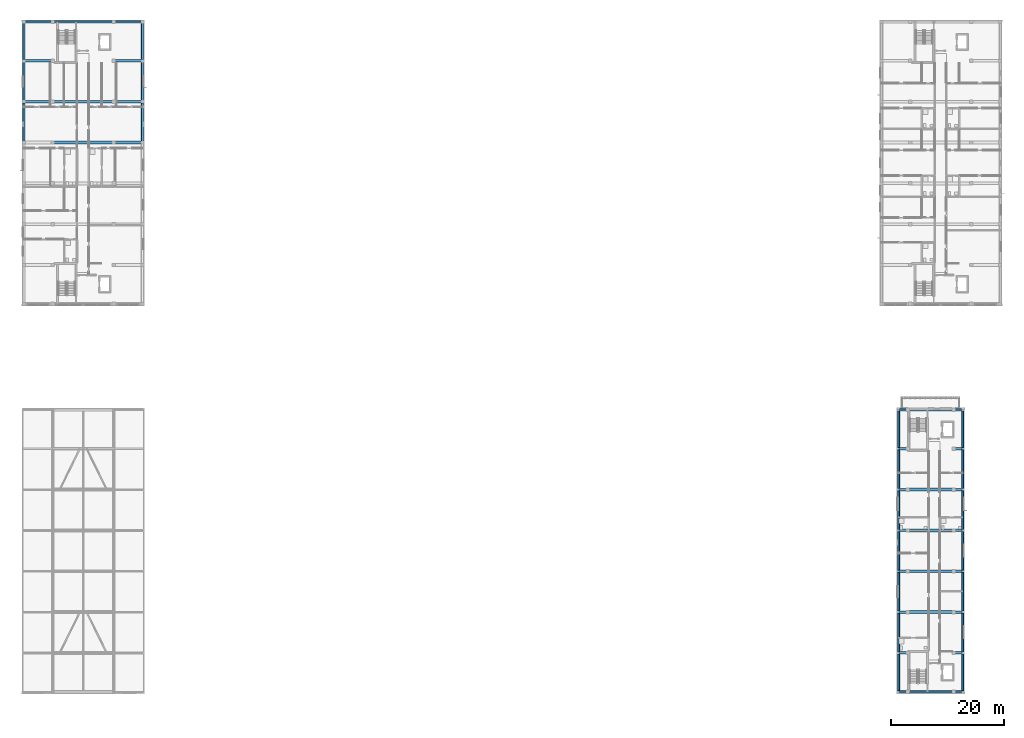
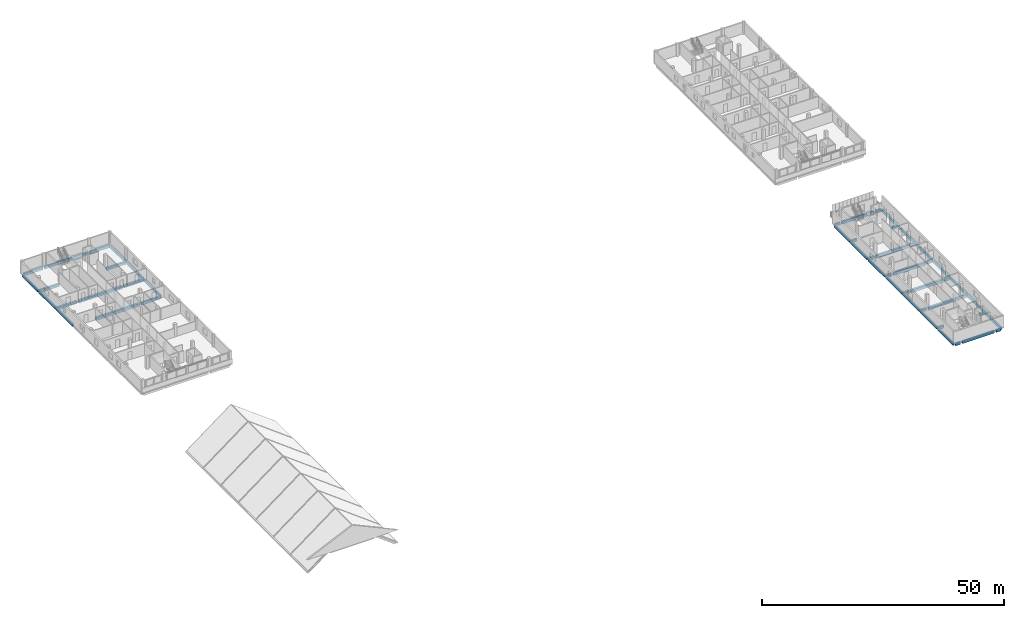
# One storey, part 5 of 35: 52 beams.
"""IFC4 building model written with IfcOpenShell, lengths in metres."""

from ifc_helpers import new_model, si_unit, derived_unit, direction, frame, origin, origin_2d, place, context, subcontext, project, spatial, rectangle, extrude, material, material_profile, profile_set, type_object, element, save


model = new_model("IFC4")

# Units and contexts
model_context = context("Model", 3, precision=1e-05, world=origin(), true_north=direction((0.0, 1.0)))
body_context = subcontext(model_context, "Body", "Model", "MODEL_VIEW")
ifc_project = project(units=[si_unit("LENGTHUNIT", "METRE"), si_unit("AREAUNIT", "SQUARE_METRE"), si_unit("VOLUMEUNIT", "CUBIC_METRE"), si_unit("PLANEANGLEUNIT", "RADIAN"), si_unit("MASSUNIT", "GRAM", prefix="KILO"), derived_unit("THERMALTRANSMITTANCEUNIT", [(si_unit("MASSUNIT", "GRAM", prefix="KILO"), 1), (si_unit("TIMEUNIT", "SECOND"), -3), (si_unit("THERMODYNAMICTEMPERATUREUNIT", "KELVIN"), -1)])], contexts=[model_context])

# Site, building, storey
site_placement = place(None, origin())
site = spatial("IfcSite", under=ifc_project, at=site_placement, CompositionType="ELEMENT")
building_placement = place(site_placement, origin())
building = spatial("IfcBuilding", under=site, at=building_placement, Name="Ochrekiln Boulevard Commons", CompositionType="ELEMENT")
storey_placement = place(building_placement, frame((0.0, 0.0, 30.97509765625)))
storey = spatial("IfcBuildingStorey", under=building, at=storey_placement, Name="L09", CompositionType="ELEMENT", Elevation=30.97509765625)

# Beams
ifc_material_1 = material(Name="Concrete C35/45", Category="concrete")
ifc_material_profile_1 = material_profile(ifc_material_1, rectangle(XDim=0.449951171875, YDim=0.64990234375, at=origin_2d()), Name="RC-BM-450x650")
ifc_profile_set_1 = profile_set([ifc_material_profile_1], Name="Concrete C35/45")
beam_type_1 = type_object("IfcBeamType", Name="BM-RC-450x650", PredefinedType="BEAM", material=ifc_profile_set_1)
beam_1_placement = place(storey_placement, frame((16.409912109375, 97.199951171875, -0.585205078125), z_axis=(1.0, 0.0, 0.0), x_axis=(0.0, 1.0, 0.0)))
element("IfcBeam", 1, at=beam_1_placement, inside=storey, type_object=beam_type_1, Name="Block A L09 Beam B-4565 X14", PredefinedType="BEAM", context=body_context, shape_type="SweptSolid", body=[
    extrude(rectangle(XDim=0.449951171875, YDim=0.64990234375, at=origin_2d()), origin(), (0.0, 0.0, 1.0), 4.630126953125),
])
beam_2_placement = place(storey_placement, frame((0.56005859375, 104.39990234375, -0.585205078125), z_axis=(1.0, 0.0, 0.0), x_axis=(0.0, 1.0, 0.0)))
element("IfcBeam", 2, at=beam_2_placement, inside=storey, type_object=beam_type_1, Name="Block A L09 Beam B-4565 X15", PredefinedType="BEAM", context=body_context, shape_type="SweptSolid", body=[
    extrude(rectangle(XDim=0.449951171875, YDim=0.64990234375, at=origin_2d()), origin(), (0.0, 0.0, 1.0), 4.6298828125),
])
beam_3_placement = place(storey_placement, frame((16.409912109375, 104.39990234375, -0.585205078125), z_axis=(1.0, 0.0, 0.0), x_axis=(0.0, 1.0, 0.0)))
element("IfcBeam", 3, at=beam_3_placement, inside=storey, type_object=beam_type_1, Name="Block A L09 Beam B-4565 X17", PredefinedType="BEAM", context=body_context, shape_type="SweptSolid", body=[
    extrude(rectangle(XDim=0.449951171875, YDim=0.64990234375, at=origin_2d()), origin(), (0.0, 0.0, 1.0), 4.630126953125),
])
beam_4_placement = place(storey_placement, frame((0.56005859375, 111.60009765625, -0.585205078125), z_axis=(1.0, 0.0, 0.0), x_axis=(0.0, 1.0, 0.0)))
element("IfcBeam", 4, at=beam_4_placement, inside=storey, type_object=beam_type_1, Name="Block A L09 Beam B-4565 X18", PredefinedType="BEAM", context=body_context, shape_type="SweptSolid", body=[
    extrude(rectangle(XDim=0.449951171875, YDim=0.64990234375, at=origin_2d()), origin(), (0.0, 0.0, 1.0), 4.6298828125),
])
beam_5_placement = place(storey_placement, frame((16.409912109375, 111.60009765625, -0.585205078125), z_axis=(1.0, 0.0, 0.0), x_axis=(0.0, 1.0, 0.0)))
element("IfcBeam", 5, at=beam_5_placement, inside=storey, type_object=beam_type_1, Name="Block A L09 Beam B-4565 X19", PredefinedType="BEAM", context=body_context, shape_type="SweptSolid", body=[
    extrude(rectangle(XDim=0.449951171875, YDim=0.64990234375, at=origin_2d()), origin(), (0.0, 0.0, 1.0), 4.630126953125),
])
for number, where, z_axis, x_axis, name in (
    (6, (154.760009765625, 7.199951171875, -0.585205078125), (1.0, 0.0, 0.0), (0.0, 1.0, 0.0), "Block C L09 Beam B-4565 X4"),
    (7, (164.4599609375, 7.199951171875, -0.585205078125), (1.0, 0.0, 0.0), (0.0, 1.0, 0.0), "Block C L09 Beam B-4565 X5"),
    (8, (154.760009765625, 14.39990234375, -0.585205078125), (1.0, 0.0, 0.0), (0.0, 1.0, 0.0), "Block C L09 Beam B-4565 X6"),
    (9, (164.4599609375, 14.39990234375, -0.585205078125), (1.0, 0.0, 0.0), (0.0, 1.0, 0.0), "Block C L09 Beam B-4565 X8"),
    (10, (154.760009765625, 21.60009765625, -0.585205078125), (1.0, 0.0, 0.0), (0.0, 1.0, 0.0), "Block C L09 Beam B-4565 X9"),
    (11, (164.4599609375, 21.60009765625, -0.585205078125), (1.0, 0.0, 0.0), (0.0, 1.0, 0.0), "Block C L09 Beam B-4565 X11"),
    (12, (154.760009765625, 28.800048828125, -0.585205078125), (1.0, 0.0, 0.0), (0.0, 1.0, 0.0), "Block C L09 Beam B-4565 X12"),
    (13, (164.4599609375, 28.800048828125, -0.585205078125), (1.0, 0.0, 0.0), (0.0, 1.0, 0.0), "Block C L09 Beam B-4565 X14"),
    (14, (154.760009765625, 36.0, -0.585205078125), (1.0, 0.0, 0.0), (0.0, 1.0, 0.0), "Block C L09 Beam B-4565 X15"),
    (15, (164.4599609375, 36.0, -0.585205078125), (1.0, 0.0, 0.0), (0.0, 1.0, 0.0), "Block C L09 Beam B-4565 X17"),
    (16, (154.760009765625, 43.199951171875, -0.585205078125), (1.0, 0.0, 0.0), (0.0, 1.0, 0.0), "Block C L09 Beam B-4565 X18"),
    (17, (164.4599609375, 43.199951171875, -0.585205078125), (1.0, 0.0, 0.0), (0.0, 1.0, 0.0), "Block C L09 Beam B-4565 X19"),
):
    element("IfcBeam", number, at=place(storey_placement, frame(where, z_axis=z_axis, x_axis=x_axis)), inside=storey, type_object=beam_type_1, Name=name, PredefinedType="BEAM", context=body_context, shape_type="SweptSolid", body=[
        extrude(rectangle(XDim=0.449951171875, YDim=0.64990234375, at=origin_2d()), origin(), (0.0, 0.0, 1.0), 1.179931640625),
    ])
ifc_material_2 = material(Name="Concrete C40/50", Category="concrete")
ifc_material_profile_2 = material_profile(ifc_material_2, rectangle(XDim=0.5, YDim=0.699951171875, at=origin_2d()), Name="RC-BM-500x700")
ifc_profile_set_2 = profile_set([ifc_material_profile_2], Name="Concrete C40/50")
beam_type_2 = type_object("IfcBeamType", Name="BM-RC-500x700", PredefinedType="BEAM", material=ifc_profile_set_2)
for number, where, z_axis, x_axis, name in (
    (18, (5.610107421875, 97.199951171875, -0.610107421875), (1.0, 0.0, 0.0), (0.0, 1.0, 0.0), "Block A L09 Beam B-5070 X13"),
    (19, (5.610107421875, 104.39990234375, -0.610107421875), (1.0, 0.0, 0.0), (0.0, 1.0, 0.0), "Block A L09 Beam B-5070 X16"),
):
    element("IfcBeam", number, at=place(storey_placement, frame(where, z_axis=z_axis, x_axis=x_axis)), inside=storey, type_object=beam_type_2, Name=name, PredefinedType="BEAM", context=body_context, shape_type="SweptSolid", body=[
        extrude(rectangle(XDim=0.5, YDim=0.699951171875, at=origin_2d()), origin(), (0.0, 0.0, 1.0), 10.3798828125),
    ])
for number, where, z_axis, x_axis, name in (
    (20, (156.360107421875, 14.39990234375, -0.610107421875), (1.0, 0.0, 0.0), (0.0, 1.0, 0.0), "Block C L09 Beam B-5070 X7"),
    (21, (156.360107421875, 21.60009765625, -0.610107421875), (1.0, 0.0, 0.0), (0.0, 1.0, 0.0), "Block C L09 Beam B-5070 X10"),
    (22, (156.360107421875, 28.800048828125, -0.610107421875), (1.0, 0.0, 0.0), (0.0, 1.0, 0.0), "Block C L09 Beam B-5070 X13"),
    (23, (156.360107421875, 36.0, -0.610107421875), (1.0, 0.0, 0.0), (0.0, 1.0, 0.0), "Block C L09 Beam B-5070 X16"),
):
    element("IfcBeam", number, at=place(storey_placement, frame(where, z_axis=z_axis, x_axis=x_axis)), inside=storey, type_object=beam_type_2, Name=name, PredefinedType="BEAM", context=body_context, shape_type="SweptSolid", body=[
        extrude(rectangle(XDim=0.5, YDim=0.699951171875, at=origin_2d()), origin(), (0.0, 0.0, 1.0), 7.679931640625),
    ])
ifc_material_profile_3 = material_profile(ifc_material_2, rectangle(XDim=0.35009765625, YDim=0.64990234375, at=origin_2d()), Name="RC-SPN-350x650")
ifc_profile_set_3 = profile_set([ifc_material_profile_3], Name="Concrete C40/50")
beam_type_3 = type_object("IfcBeamType", Name="SPN-RC-350x650", PredefinedType="SPANDREL", material=ifc_profile_set_3)
beam_6_placement = place(storey_placement, frame((0.56005859375, 118.449951171875, -0.585205078125), z_axis=(1.0, 0.0, 0.0), x_axis=(0.0, 1.0, 0.0)))
element("IfcBeam", 24, at=beam_6_placement, inside=storey, type_object=beam_type_3, Name="Block A L09 Beam SP-3565 X20", PredefinedType="SPANDREL", context=body_context, shape_type="SweptSolid", body=[
    extrude(rectangle(XDim=0.35009765625, YDim=0.64990234375, at=origin_2d()), origin(), (0.0, 0.0, 1.0), 4.6298828125),
])
beam_7_placement = place(storey_placement, frame((5.610107421875, 118.449951171875, -0.585205078125), z_axis=(1.0, 0.0, 0.0), x_axis=(0.0, 1.0, 0.0)))
element("IfcBeam", 25, at=beam_7_placement, inside=storey, type_object=beam_type_3, Name="Block A L09 Beam SP-3565 X21", PredefinedType="SPANDREL", context=body_context, shape_type="SweptSolid", body=[
    extrude(rectangle(XDim=0.35009765625, YDim=0.64990234375, at=origin_2d()), origin(), (0.0, 0.0, 1.0), 10.3798828125),
])
beam_8_placement = place(storey_placement, frame((16.409912109375, 118.449951171875, -0.585205078125), z_axis=(1.0, 0.0, 0.0), x_axis=(0.0, 1.0, 0.0)))
element("IfcBeam", 26, at=beam_8_placement, inside=storey, type_object=beam_type_3, Name="Block A L09 Beam SP-3565 X22", PredefinedType="SPANDREL", context=body_context, shape_type="SweptSolid", body=[
    extrude(rectangle(XDim=0.35009765625, YDim=0.64990234375, at=origin_2d()), origin(), (0.0, 0.0, 1.0), 4.630126953125),
])
beam_9_placement = place(storey_placement, frame((0.35009765625, 97.409912109375, -0.585205078125), z_axis=(0.0, 1.0, 0.0), x_axis=(-1.0, 0.0, 0.0)))
element("IfcBeam", 27, at=beam_9_placement, inside=storey, type_object=beam_type_3, Name="Block A L09 Beam SP-3565 Y27", PredefinedType="SPANDREL", context=body_context, shape_type="SweptSolid", body=[
    extrude(rectangle(XDim=0.35009765625, YDim=0.64990234375, at=origin_2d()), origin(), (0.0, 0.0, 1.0), 6.780029296875),
])
beam_10_placement = place(storey_placement, frame((0.35009765625, 104.610107421875, -0.585205078125), z_axis=(0.0, 1.0, 0.0), x_axis=(-1.0, 0.0, 0.0)))
element("IfcBeam", 28, at=beam_10_placement, inside=storey, type_object=beam_type_3, Name="Block A L09 Beam SP-3565 Y28", PredefinedType="SPANDREL", context=body_context, shape_type="SweptSolid", body=[
    extrude(rectangle(XDim=0.35009765625, YDim=0.64990234375, at=origin_2d()), origin(), (0.0, 0.0, 1.0), 6.77978515625),
])
beam_11_placement = place(storey_placement, frame((0.35009765625, 111.81005859375, -0.585205078125), z_axis=(0.0, 1.0, 0.0), x_axis=(-1.0, 0.0, 0.0)))
element("IfcBeam", 29, at=beam_11_placement, inside=storey, type_object=beam_type_3, Name="Block A L09 Beam SP-3565 Y29", PredefinedType="SPANDREL", context=body_context, shape_type="SweptSolid", body=[
    extrude(rectangle(XDim=0.35009765625, YDim=0.64990234375, at=origin_2d()), origin(), (0.0, 0.0, 1.0), 6.429931640625),
])
beam_12_placement = place(storey_placement, frame((21.25, 97.409912109375, -0.585205078125), z_axis=(0.0, 1.0, 0.0), x_axis=(-1.0, 0.0, 0.0)))
element("IfcBeam", 30, at=beam_12_placement, inside=storey, type_object=beam_type_3, Name="Block A L09 Beam SP-3565 Y34", PredefinedType="SPANDREL", context=body_context, shape_type="SweptSolid", body=[
    extrude(rectangle(XDim=0.35009765625, YDim=0.64990234375, at=origin_2d()), origin(), (0.0, 0.0, 1.0), 6.780029296875),
])
beam_13_placement = place(storey_placement, frame((21.25, 104.610107421875, -0.585205078125), z_axis=(0.0, 1.0, 0.0), x_axis=(-1.0, 0.0, 0.0)))
element("IfcBeam", 31, at=beam_13_placement, inside=storey, type_object=beam_type_3, Name="Block A L09 Beam SP-3565 Y35", PredefinedType="SPANDREL", context=body_context, shape_type="SweptSolid", body=[
    extrude(rectangle(XDim=0.35009765625, YDim=0.64990234375, at=origin_2d()), origin(), (0.0, 0.0, 1.0), 6.77978515625),
])
beam_14_placement = place(storey_placement, frame((21.25, 111.81005859375, -0.585205078125), z_axis=(0.0, 1.0, 0.0), x_axis=(-1.0, 0.0, 0.0)))
element("IfcBeam", 32, at=beam_14_placement, inside=storey, type_object=beam_type_3, Name="Block A L09 Beam SP-3565 Y36", PredefinedType="SPANDREL", context=body_context, shape_type="SweptSolid", body=[
    extrude(rectangle(XDim=0.35009765625, YDim=0.64990234375, at=origin_2d()), origin(), (0.0, 0.0, 1.0), 6.429931640625),
])
beam_15_placement = place(storey_placement, frame((154.760009765625, 0.35009765625, -0.585205078125), z_axis=(1.0, 0.0, 0.0), x_axis=(0.0, 1.0, 0.0)))
element("IfcBeam", 33, at=beam_15_placement, inside=storey, type_object=beam_type_3, Name="Block C L09 Beam SP-3565 X1", PredefinedType="SPANDREL", context=body_context, shape_type="SweptSolid", body=[
    extrude(rectangle(XDim=0.35009765625, YDim=0.64990234375, at=origin_2d()), origin(), (0.0, 0.0, 1.0), 1.179931640625),
])
beam_16_placement = place(storey_placement, frame((156.360107421875, 0.35009765625, -0.585205078125), z_axis=(1.0, 0.0, 0.0), x_axis=(0.0, 1.0, 0.0)))
element("IfcBeam", 34, at=beam_16_placement, inside=storey, type_object=beam_type_3, Name="Block C L09 Beam SP-3565 X2", PredefinedType="SPANDREL", context=body_context, shape_type="SweptSolid", body=[
    extrude(rectangle(XDim=0.35009765625, YDim=0.64990234375, at=origin_2d()), origin(), (0.0, 0.0, 1.0), 7.679931640625),
])
for number, where, z_axis, x_axis, name in (
    (35, (164.4599609375, 0.35009765625, -0.585205078125), (1.0, 0.0, 0.0), (0.0, 1.0, 0.0), "Block C L09 Beam SP-3565 X3"),
    (36, (154.760009765625, 50.050048828125, -0.585205078125), (1.0, 0.0, 0.0), (0.0, 1.0, 0.0), "Block C L09 Beam SP-3565 X20"),
):
    element("IfcBeam", number, at=place(storey_placement, frame(where, z_axis=z_axis, x_axis=x_axis)), inside=storey, type_object=beam_type_3, Name=name, PredefinedType="SPANDREL", context=body_context, shape_type="SweptSolid", body=[
        extrude(rectangle(XDim=0.35009765625, YDim=0.64990234375, at=origin_2d()), origin(), (0.0, 0.0, 1.0), 1.179931640625),
    ])
beam_17_placement = place(storey_placement, frame((156.360107421875, 50.050048828125, -0.585205078125), z_axis=(1.0, 0.0, 0.0), x_axis=(0.0, 1.0, 0.0)))
element("IfcBeam", 37, at=beam_17_placement, inside=storey, type_object=beam_type_3, Name="Block C L09 Beam SP-3565 X21", PredefinedType="SPANDREL", context=body_context, shape_type="SweptSolid", body=[
    extrude(rectangle(XDim=0.35009765625, YDim=0.64990234375, at=origin_2d()), origin(), (0.0, 0.0, 1.0), 7.679931640625),
])
beam_18_placement = place(storey_placement, frame((164.4599609375, 50.050048828125, -0.585205078125), z_axis=(1.0, 0.0, 0.0), x_axis=(0.0, 1.0, 0.0)))
element("IfcBeam", 38, at=beam_18_placement, inside=storey, type_object=beam_type_3, Name="Block C L09 Beam SP-3565 X22", PredefinedType="SPANDREL", context=body_context, shape_type="SweptSolid", body=[
    extrude(rectangle(XDim=0.35009765625, YDim=0.64990234375, at=origin_2d()), origin(), (0.0, 0.0, 1.0), 1.179931640625),
])
beam_19_placement = place(storey_placement, frame((154.550048828125, 0.56005859375, -0.585205078125), z_axis=(0.0, 1.0, 0.0), x_axis=(-1.0, 0.0, 0.0)))
element("IfcBeam", 39, at=beam_19_placement, inside=storey, type_object=beam_type_3, Name="Block C L09 Beam SP-3565 Y23", PredefinedType="SPANDREL", context=body_context, shape_type="SweptSolid", body=[
    extrude(rectangle(XDim=0.35009765625, YDim=0.64990234375, at=origin_2d()), origin(), (0.0, 0.0, 1.0), 6.429931640625),
])
beam_20_placement = place(storey_placement, frame((154.550048828125, 7.409912109375, -0.585205078125), z_axis=(0.0, 1.0, 0.0), x_axis=(-1.0, 0.0, 0.0)))
element("IfcBeam", 40, at=beam_20_placement, inside=storey, type_object=beam_type_3, Name="Block C L09 Beam SP-3565 Y24", PredefinedType="SPANDREL", context=body_context, shape_type="SweptSolid", body=[
    extrude(rectangle(XDim=0.35009765625, YDim=0.64990234375, at=origin_2d()), origin(), (0.0, 0.0, 1.0), 6.780029296875),
])
beam_21_placement = place(storey_placement, frame((154.550048828125, 14.610107421875, -0.585205078125), z_axis=(0.0, 1.0, 0.0), x_axis=(-1.0, 0.0, 0.0)))
element("IfcBeam", 41, at=beam_21_placement, inside=storey, type_object=beam_type_3, Name="Block C L09 Beam SP-3565 Y25", PredefinedType="SPANDREL", context=body_context, shape_type="SweptSolid", body=[
    extrude(rectangle(XDim=0.35009765625, YDim=0.64990234375, at=origin_2d()), origin(), (0.0, 0.0, 1.0), 6.77978515625),
])
for number, where, z_axis, x_axis, name in (
    (42, (154.550048828125, 21.81005859375, -0.585205078125), (0.0, 1.0, 0.0), (-1.0, 0.0, 0.0), "Block C L09 Beam SP-3565 Y26"),
    (43, (154.550048828125, 29.010009765625, -0.585205078125), (0.0, 1.0, 0.0), (-1.0, 0.0, 0.0), "Block C L09 Beam SP-3565 Y27"),
    (44, (154.550048828125, 36.2099609375, -0.585205078125), (0.0, 1.0, 0.0), (-1.0, 0.0, 0.0), "Block C L09 Beam SP-3565 Y28"),
):
    element("IfcBeam", number, at=place(storey_placement, frame(where, z_axis=z_axis, x_axis=x_axis)), inside=storey, type_object=beam_type_3, Name=name, PredefinedType="SPANDREL", context=body_context, shape_type="SweptSolid", body=[
        extrude(rectangle(XDim=0.35009765625, YDim=0.64990234375, at=origin_2d()), origin(), (0.0, 0.0, 1.0), 6.780029296875),
    ])
beam_22_placement = place(storey_placement, frame((154.550048828125, 43.409912109375, -0.585205078125), z_axis=(0.0, 1.0, 0.0), x_axis=(-1.0, 0.0, 0.0)))
element("IfcBeam", 45, at=beam_22_placement, inside=storey, type_object=beam_type_3, Name="Block C L09 Beam SP-3565 Y29", PredefinedType="SPANDREL", context=body_context, shape_type="SweptSolid", body=[
    extrude(rectangle(XDim=0.35009765625, YDim=0.64990234375, at=origin_2d()), origin(), (0.0, 0.0, 1.0), 6.43017578125),
])
beam_23_placement = place(storey_placement, frame((165.85009765625, 0.56005859375, -0.585205078125), z_axis=(0.0, 1.0, 0.0), x_axis=(-1.0, 0.0, 0.0)))
element("IfcBeam", 46, at=beam_23_placement, inside=storey, type_object=beam_type_3, Name="Block C L09 Beam SP-3565 Y30", PredefinedType="SPANDREL", context=body_context, shape_type="SweptSolid", body=[
    extrude(rectangle(XDim=0.35009765625, YDim=0.64990234375, at=origin_2d()), origin(), (0.0, 0.0, 1.0), 6.429931640625),
])
beam_24_placement = place(storey_placement, frame((165.85009765625, 7.409912109375, -0.585205078125), z_axis=(0.0, 1.0, 0.0), x_axis=(-1.0, 0.0, 0.0)))
element("IfcBeam", 47, at=beam_24_placement, inside=storey, type_object=beam_type_3, Name="Block C L09 Beam SP-3565 Y31", PredefinedType="SPANDREL", context=body_context, shape_type="SweptSolid", body=[
    extrude(rectangle(XDim=0.35009765625, YDim=0.64990234375, at=origin_2d()), origin(), (0.0, 0.0, 1.0), 6.780029296875),
])
beam_25_placement = place(storey_placement, frame((165.85009765625, 14.610107421875, -0.585205078125), z_axis=(0.0, 1.0, 0.0), x_axis=(-1.0, 0.0, 0.0)))
element("IfcBeam", 48, at=beam_25_placement, inside=storey, type_object=beam_type_3, Name="Block C L09 Beam SP-3565 Y32", PredefinedType="SPANDREL", context=body_context, shape_type="SweptSolid", body=[
    extrude(rectangle(XDim=0.35009765625, YDim=0.64990234375, at=origin_2d()), origin(), (0.0, 0.0, 1.0), 6.77978515625),
])
for number, where, z_axis, x_axis, name in (
    (49, (165.85009765625, 21.81005859375, -0.585205078125), (0.0, 1.0, 0.0), (-1.0, 0.0, 0.0), "Block C L09 Beam SP-3565 Y33"),
    (50, (165.85009765625, 29.010009765625, -0.585205078125), (0.0, 1.0, 0.0), (-1.0, 0.0, 0.0), "Block C L09 Beam SP-3565 Y34"),
    (51, (165.85009765625, 36.2099609375, -0.585205078125), (0.0, 1.0, 0.0), (-1.0, 0.0, 0.0), "Block C L09 Beam SP-3565 Y35"),
):
    element("IfcBeam", number, at=place(storey_placement, frame(where, z_axis=z_axis, x_axis=x_axis)), inside=storey, type_object=beam_type_3, Name=name, PredefinedType="SPANDREL", context=body_context, shape_type="SweptSolid", body=[
        extrude(rectangle(XDim=0.35009765625, YDim=0.64990234375, at=origin_2d()), origin(), (0.0, 0.0, 1.0), 6.780029296875),
    ])
beam_26_placement = place(storey_placement, frame((165.85009765625, 43.409912109375, -0.585205078125), z_axis=(0.0, 1.0, 0.0), x_axis=(-1.0, 0.0, 0.0)))
element("IfcBeam", 52, at=beam_26_placement, inside=storey, type_object=beam_type_3, Name="Block C L09 Beam SP-3565 Y36", PredefinedType="SPANDREL", context=body_context, shape_type="SweptSolid", body=[
    extrude(rectangle(XDim=0.35009765625, YDim=0.64990234375, at=origin_2d()), origin(), (0.0, 0.0, 1.0), 6.43017578125),
])

save(model, "model.ifc")
